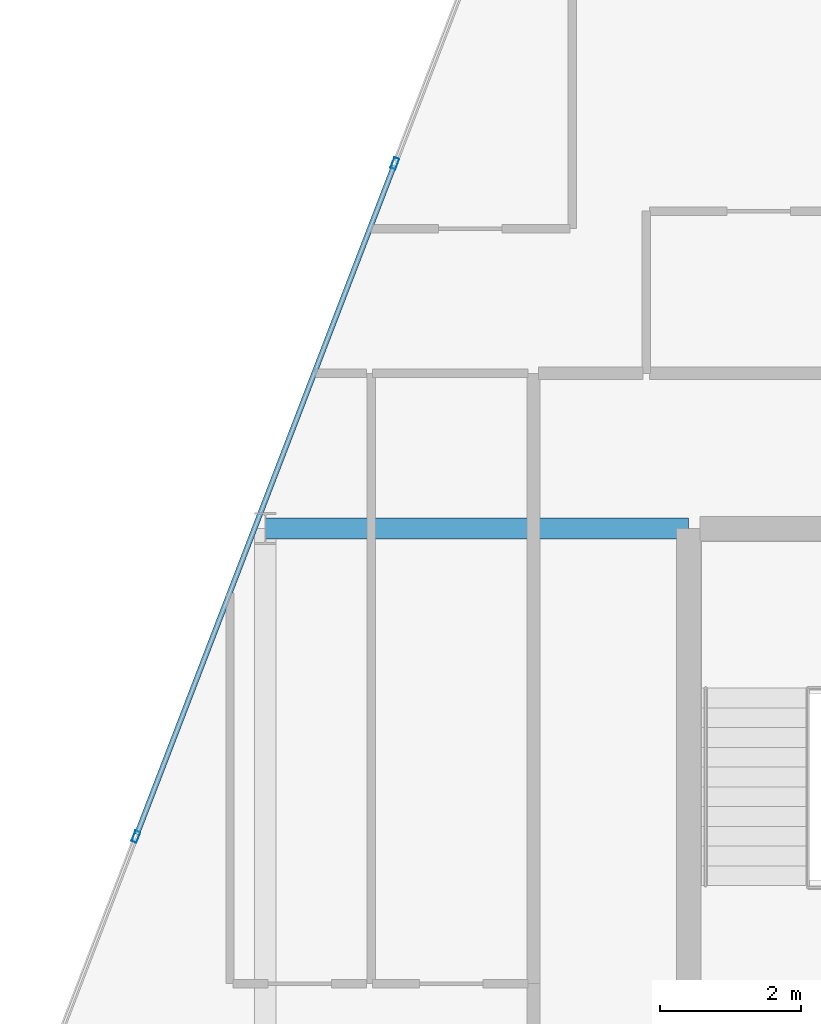
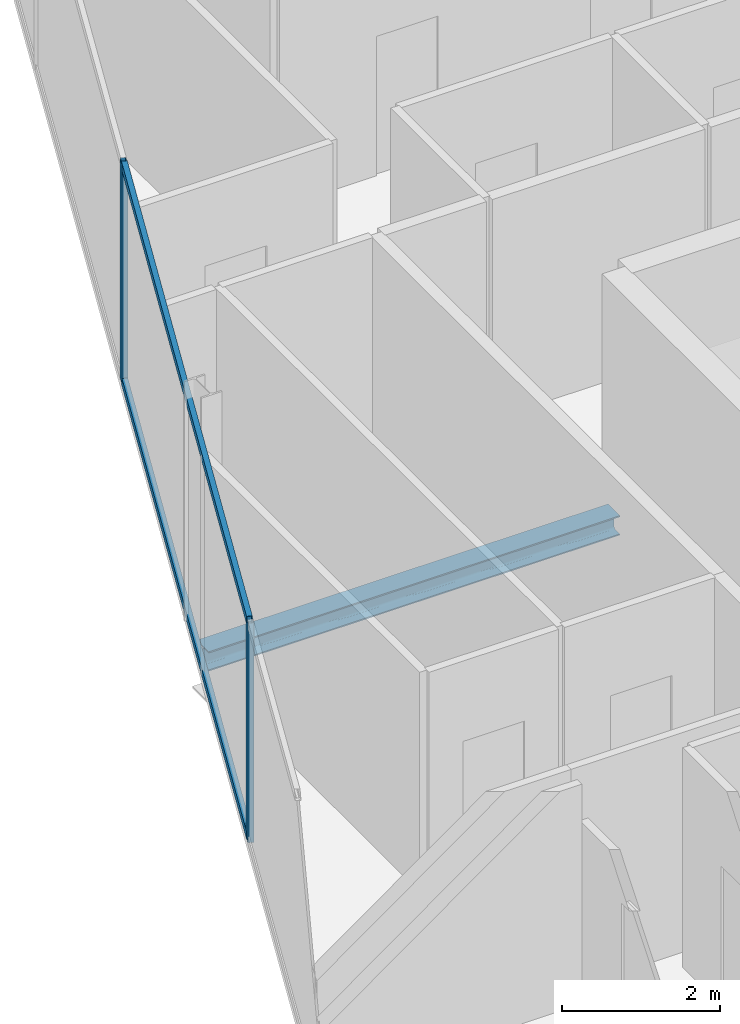
# One storey, part 16 of 29: 4 members, 1 beam, 1 element without a shape of its own.
"""IFC4 building model written with IfcOpenShell, lengths in metres."""

from ifc_helpers import new_model, si_unit, direction, frame, origin, origin_2d, place, context, subcontext, project, spatial, hollow_rectangle, i_section, extrude, material, layer, layer_set, material_profile, profile_set, type_object, element, aggregate, save


model = new_model("IFC4")

# Units and contexts
model_context = context("Model", 3, precision=1e-05, world=origin(), true_north=direction((0.0, 1.0)))
body_context = subcontext(model_context, "Body", "Model", "MODEL_VIEW")
ifc_project = project(units=[si_unit("LENGTHUNIT", "METRE"), si_unit("AREAUNIT", "SQUARE_METRE"), si_unit("VOLUMEUNIT", "CUBIC_METRE"), si_unit("PLANEANGLEUNIT", "RADIAN"), si_unit("MASSUNIT", "GRAM", prefix="KILO")], contexts=[model_context])

# Site, building, storey
site_placement = place(None, origin())
site = spatial("IfcSite", under=ifc_project, at=site_placement, CompositionType="ELEMENT")
building_placement = place(site_placement, origin())
building = spatial("IfcBuilding", under=site, at=building_placement, Name="Keshet Zoharim Tower", CompositionType="ELEMENT")
storey_placement = place(building_placement, frame((0.0, 0.0, 192.10009765625)))
storey = spatial("IfcBuildingStorey", under=building, at=storey_placement, Name="L47", CompositionType="ELEMENT", Elevation=192.10009765625)

# Beam
ifc_material_1 = material(Name="Steel S355", Category="steel")
ifc_material_profile_1 = material_profile(ifc_material_1, i_section(OverallWidth=0.300048828125, OverallDepth=0.300048828125, WebThickness=0.010986328125, FlangeThickness=0.01904296875, FilletRadius=0.027099609375, at=origin_2d()), Name="HEB300")
ifc_profile_set_1 = profile_set([ifc_material_profile_1], Name="Steel S355")
beam_type = type_object("IfcBeamType", Name="BM-PRI-HB300", PredefinedType="BEAM", material=ifc_profile_set_1)
beam_placement = place(storey_placement, frame((9.0, 37.89990234375, -0.460205078125), z_axis=(1.0, 0.0, 0.0), x_axis=(0.0, 1.0, 0.0)))
element("IfcBeam", 1, at=beam_placement, inside=storey, type_object=beam_type, Name="L47 Primary Girder X-017", PredefinedType="BEAM", context=body_context, shape_type="SweptSolid", body=[
    extrude(i_section(OverallWidth=0.300048828125, OverallDepth=0.300048828125, WebThickness=0.010986328125, FlangeThickness=0.01904296875, FilletRadius=0.027099609375, at=origin_2d()), origin(), (0.0, 0.0, 1.0), 6.0),
])

# Curtain wall, members
ifc_material_2 = material(Name="Aluminium 6063-T6", Category="aluminium")
ifc_layer = layer(ifc_material_2, 0.139892578125)
ifc_layer_set = layer_set([ifc_layer], Name="Aluminium 6063-T6")
curtain_wall_type = type_object("IfcCurtainWallType", Name="CW-SYS-05", PredefinedType="NOTDEFINED", material=ifc_layer_set)
curtain_wall_placement = place(storey_placement, origin())
curtain_wall = element("IfcCurtainWall", 2, at=curtain_wall_placement, inside=storey, type_object=curtain_wall_type, Name="L47 Unitised Curtain Wall 13", PredefinedType="NOTDEFINED")
ifc_material_profile_2 = material_profile(ifc_material_2, hollow_rectangle(XDim=0.074951171875, YDim=0.159912109375, WallThickness=0.00390625, at=origin_2d()), Name="MUL-75x160")
ifc_profile_set_2 = profile_set([ifc_material_profile_2], Name="Aluminium 6063-T6")
member_type_1 = type_object("IfcMemberType", Name="CWM-M15", PredefinedType="MULLION", material=ifc_profile_set_2)
member_1_placement = place(storey_placement, frame((7.1669921875, 33.53466796875, 0.0), z_axis=(0.0, 0.0, 1.0), x_axis=(-0.933341404361, 0.358990003907, 0.0)))
member_1 = element("IfcMember", 3, at=member_1_placement, type_object=member_type_1, Name="CW-05 mullion 2", PredefinedType="MULLION", context=body_context, shape_type="SweptSolid", body=[
    extrude(hollow_rectangle(XDim=0.074951171875, YDim=0.159912109375, WallThickness=0.00390625, at=origin_2d()), origin(), (0.0, 0.0, 1.0), 3.389892578125),
])
member_2_placement = place(storey_placement, frame((10.8369140625, 43.076416015625, 0.0), z_axis=(0.0, 0.0, 1.0), x_axis=(-0.933341404361, 0.358990003907, 0.0)))
member_2 = element("IfcMember", 4, at=member_2_placement, type_object=member_type_1, Name="CW-05 mullion 3", PredefinedType="MULLION", context=body_context, shape_type="SweptSolid", body=[
    extrude(hollow_rectangle(XDim=0.074951171875, YDim=0.159912109375, WallThickness=0.00390625, at=origin_2d()), origin(), (0.0, 0.0, 1.0), 3.389892578125),
])
ifc_material_profile_3 = material_profile(ifc_material_2, hollow_rectangle(XDim=0.074951171875, YDim=0.1201171875, WallThickness=0.00390625, at=origin_2d()), Name="TRN-75x120")
ifc_profile_set_3 = profile_set([ifc_material_profile_3], Name="Aluminium 6063-T6")
member_type_2 = type_object("IfcMemberType", Name="CWT-T12", PredefinedType="USERDEFINED", material=ifc_profile_set_3)
member_3_placement = place(storey_placement, frame((7.179443359375, 33.5673828125, 0.034912109375), z_axis=(0.359003248899, 0.933336309848, 0.0), x_axis=(-0.933336309848, 0.359003248899, 0.0)))
member_3 = element("IfcMember", 5, at=member_3_placement, type_object=member_type_2, Name="CW-05 transom 2.1", ObjectType="TRANSOM", PredefinedType="USERDEFINED", context=body_context, shape_type="SweptSolid", body=[
    extrude(hollow_rectangle(XDim=0.074951171875, YDim=0.1201171875, WallThickness=0.00390625, at=origin_2d()), origin(), (0.0, 0.0, 1.0), 10.153076171875),
])
member_4_placement = place(storey_placement, frame((7.179443359375, 33.5673828125, 3.35498046875), z_axis=(0.359003248899, 0.933336309848, 0.0), x_axis=(-0.933336309848, 0.359003248899, 0.0)))
member_4 = element("IfcMember", 6, at=member_4_placement, type_object=member_type_2, Name="CW-05 transom 2.2", ObjectType="TRANSOM", PredefinedType="USERDEFINED", context=body_context, shape_type="SweptSolid", body=[
    extrude(hollow_rectangle(XDim=0.074951171875, YDim=0.1201171875, WallThickness=0.00390625, at=origin_2d()), origin(), (0.0, 0.0, 1.0), 10.153076171875),
])
aggregate(curtain_wall, [member_1, member_2, member_3, member_4])

save(model, "model.ifc")
